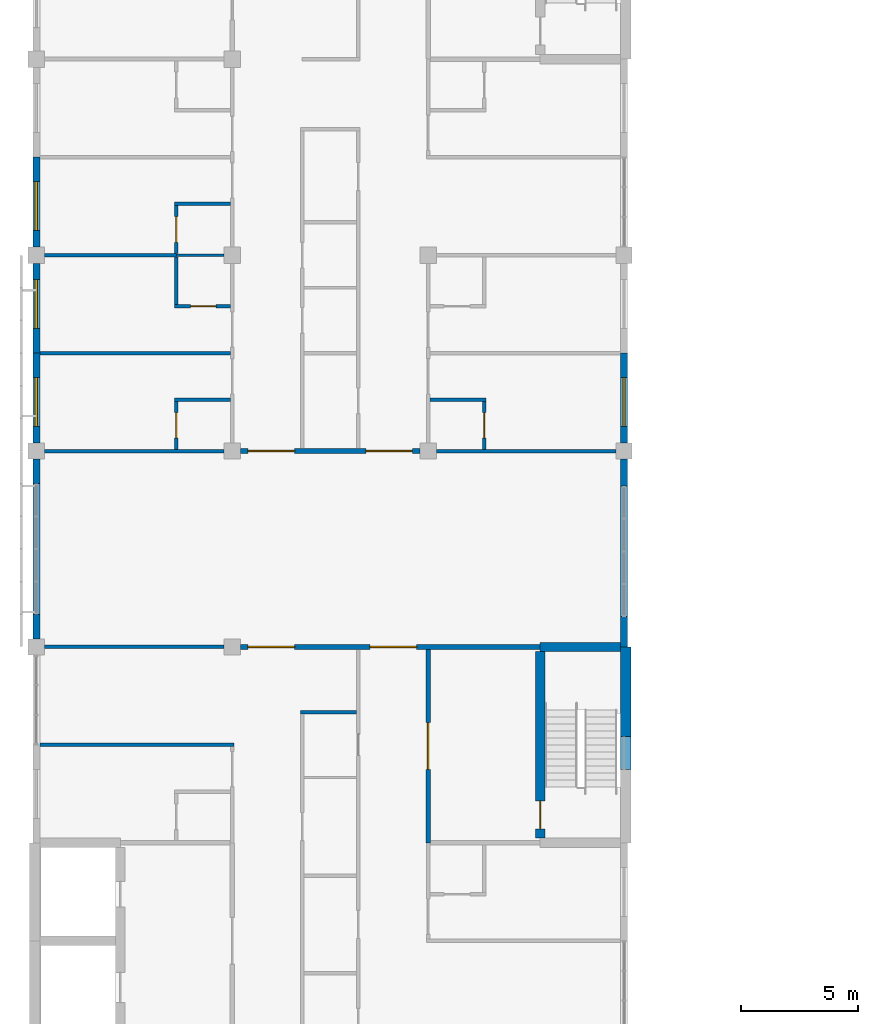
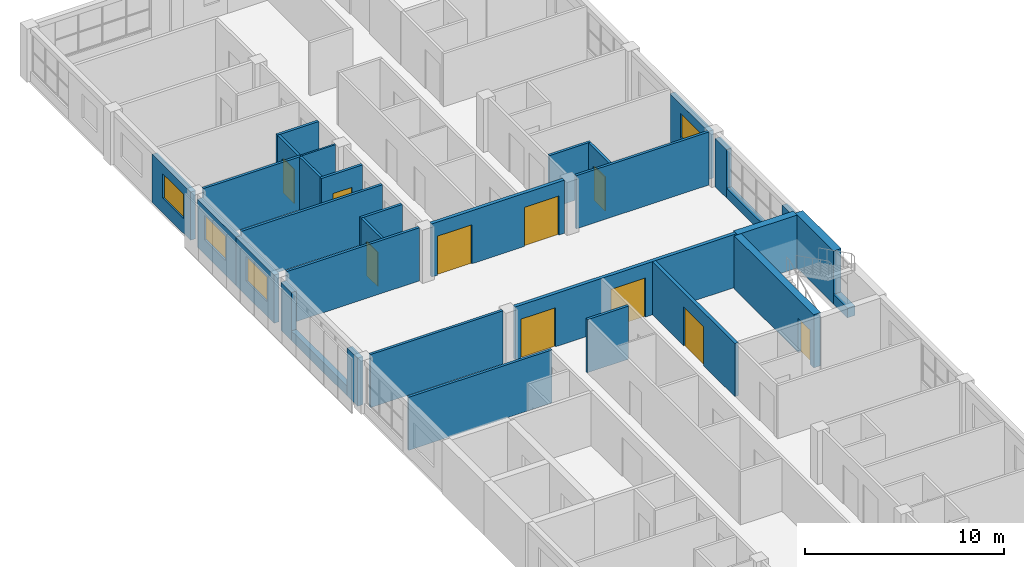
# One storey, part 41 of 61: 33 walls, 10 doors, 4 windows, 14 openings.
"""IFC4 building model written with IfcOpenShell, lengths in metres."""

import ifcopenshell
import ifcopenshell.guid

model = None  # the IFC model being written
_history = None  # IfcOwnerHistory: only IFC2X3 demands one
_inside = {}  # id of a spatial element -> (the spatial element, [elements in it])
_under = {}  # id of a project, library or spatial element -> (it, [spatial elements below it])
_declared = {}  # id of a project -> (the project, [libraries it declares])
_typed = {}  # id of a type object -> (the type object, [elements of that type])
_made_of = {}  # id of a material, layer set ... -> (it, [elements and type objects made of it])


def new_model(schema):
    """Start an empty IFC model of exactly this schema.

    Asked for "IFC4X3", IfcOpenShell would pick the latest addendum, in which some entities
    have other attributes; the version numbers below select the first issue.
    IFC2X3 requires an IfcOwnerHistory on every rooted entity: one is made here for all.
    """
    global model, _history
    if schema == "IFC4X3":
        model = ifcopenshell.file(schema_version=(4, 3, 0, 0))
    else:
        model = ifcopenshell.file(schema=schema)
    _inside.clear()
    _under.clear()
    _declared.clear()
    _typed.clear()
    _made_of.clear()
    _history = None
    if model.schema == "IFC2X3":
        org = make("IfcOrganization", Name="unknown")
        user = make(
            "IfcPersonAndOrganization",
            ThePerson=make("IfcPerson", FamilyName="unknown"),
            TheOrganization=org,
        )
        app = make(
            "IfcApplication",
            ApplicationDeveloper=org,
            Version="unknown",
            ApplicationFullName="unknown",
            ApplicationIdentifier="unknown",
        )
        _history = make(
            "IfcOwnerHistory",
            OwningUser=user,
            OwningApplication=app,
            ChangeAction="ADDED",
            CreationDate=0,
        )
    return model


def make(cls, **values):
    """One entity of the class cls with the attributes given. An attribute that is None is left unset."""
    return model.create_entity(
        cls, **{name: value for name, value in values.items() if value is not None}
    )


def rooted(cls, **values):
    """An entity with a GlobalId (a new one), such as an element, a storey or a relation."""
    return make(cls, GlobalId=ifcopenshell.guid.new(), OwnerHistory=_history, **values)


def si_unit(unit_type, name, prefix=None):
    """IfcSIUnit, for example si_unit("LENGTHUNIT", "METRE", prefix="MILLI")."""
    return make("IfcSIUnit", UnitType=unit_type, Prefix=prefix, Name=name)


def assignment(units):
    """IfcUnitAssignment: the units of a project."""
    return None if units is None else make("IfcUnitAssignment", Units=units)


def point(xyz):
    """IfcCartesianPoint."""
    return None if xyz is None else make("IfcCartesianPoint", Coordinates=xyz)


def direction(xyz):
    """IfcDirection."""
    return None if xyz is None else make("IfcDirection", DirectionRatios=xyz)


def frame(location, z_axis=None, x_axis=None):
    """IfcAxis2Placement3D, a coordinate frame: its origin and axes. An axis left out is left unset."""
    return make(
        "IfcAxis2Placement3D",
        Location=point(location),
        Axis=direction(z_axis),
        RefDirection=direction(x_axis),
    )


def frame_2d(location, x_axis=None):
    """IfcAxis2Placement2D, a coordinate frame in the plane: its origin and x axis."""
    return make(
        "IfcAxis2Placement2D", Location=point(location), RefDirection=direction(x_axis)
    )


def origin():
    """The frame at (0, 0, 0) with its axes left unset."""
    return frame((0.0, 0.0, 0.0))


def place(relative_to, where):
    """IfcLocalPlacement: puts the frame where relative to a parent placement (None: the world)."""
    return make(
        "IfcLocalPlacement", PlacementRelTo=relative_to, RelativePlacement=where
    )


def context(
    kind, dimensions, precision=None, world=None, true_north=None, identifier=None
):
    """IfcGeometricRepresentationContext, for example the 3D "Model" context."""
    return make(
        "IfcGeometricRepresentationContext",
        ContextIdentifier=identifier,
        ContextType=kind,
        CoordinateSpaceDimension=dimensions,
        Precision=precision,
        WorldCoordinateSystem=world,
        TrueNorth=true_north,
    )


def subcontext(parent, identifier, kind, view, scale=None):
    """IfcGeometricRepresentationSubContext, for example "Body" below "Model"."""
    return make(
        "IfcGeometricRepresentationSubContext",
        ContextIdentifier=identifier,
        ContextType=kind,
        ParentContext=parent,
        TargetScale=scale,
        TargetView=view,
    )


def project(units=None, contexts=None):
    """IfcProject with its units and contexts."""
    return rooted(
        "IfcProject",
        Name="project",
        RepresentationContexts=contexts,
        UnitsInContext=assignment(units),
    )


def spatial(cls, under=None, at=None, **own):
    """A site, building, storey or space (cls), placed at a placement, below another one or the project."""
    s = rooted(cls, ObjectPlacement=at, **own)
    if under is not None:
        _under.setdefault(under.id(), (under, []))[1].append(s)
    return s


def profile(cls, at=None, kind="AREA", **sizes):
    """A parametric profile (cls). Its sizes go by their IFC names, for example OverallWidth=200.0."""
    return make(cls, ProfileType=kind, Position=at, **sizes)


def rectangle(**sizes):
    """IfcRectangleProfileDef."""
    return profile("IfcRectangleProfileDef", **sizes)


def extrude(swept, where, along, depth):
    """IfcExtrudedAreaSolid: the profile swept, set in the frame where, extruded along a direction by depth."""
    return make(
        "IfcExtrudedAreaSolid",
        SweptArea=swept,
        Position=where,
        ExtrudedDirection=direction(along),
        Depth=depth,
    )


def shape(context_of_items, identifier, shape_type, items):
    """IfcShapeRepresentation: the items that make up one representation, for example the "Body"."""
    return make(
        "IfcShapeRepresentation",
        ContextOfItems=context_of_items,
        RepresentationIdentifier=identifier,
        RepresentationType=shape_type,
        Items=items,
    )


def material(Name=None, Category=None):
    """IfcMaterial."""
    return make("IfcMaterial", Name=Name, Category=Category)


def layer(
    of_material, thickness, ventilated=None, Name=None, Category=None, Priority=None
):
    """IfcMaterialLayer: one layer of a wall or slab, of a material (None: an air gap)."""
    return make(
        "IfcMaterialLayer",
        Material=of_material,
        LayerThickness=thickness,
        IsVentilated=ventilated,
        Name=Name,
        Category=Category,
        Priority=Priority,
    )


def layer_set(layers, Name=None):
    """IfcMaterialLayerSet."""
    return make("IfcMaterialLayerSet", MaterialLayers=layers, LayerSetName=Name)


def made_of(thing, what):
    """Note that an element or type object is made of a material, layer set ...; save() writes the relation."""
    if what is not None:
        _made_of.setdefault(what.id(), (what, []))[1].append(thing)
    return thing


def type_object(cls, material=None, **own):
    """A type object (cls), such as IfcWallType, which elements share."""
    return made_of(rooted(cls, **own), material)


def element(
    cls,
    number,
    at=None,
    inside=None,
    cuts=None,
    type_object=None,
    material=None,
    context=None,
    identifier="Body",
    shape_type=None,
    held_by="IfcProductDefinitionShape",
    body=None,
    shapes=None,
    **own,
):
    """One element of the class cls, such as IfcWall. Its Tag is "e" and its number.

    at: its placement. inside: the storey or other place that contains it. cuts: it is an
    opening in that element (IfcRelVoidsElement). A single representation is given by context,
    identifier, shape_type and body (its items); several are given by shapes. held_by: the class
    of the entity that holds the representations. save() writes the other relations.
    """
    e = rooted(cls, Tag="e%d" % number, ObjectPlacement=at, **own)
    if body is not None:
        shapes = [shape(context, identifier, shape_type, body)]
    if shapes is not None:
        e.Representation = make(held_by, Representations=shapes)
    if inside is not None:
        _inside.setdefault(inside.id(), (inside, []))[1].append(e)
    if cuts is not None:
        rooted(
            "IfcRelVoidsElement", RelatingBuildingElement=cuts, RelatedOpeningElement=e
        )
    if type_object is not None:
        _typed.setdefault(type_object.id(), (type_object, []))[1].append(e)
    return made_of(e, material)


def fill(opening, filler):
    """IfcRelFillsElement: the door or window that sits in an opening."""
    return rooted(
        "IfcRelFillsElement",
        RelatingOpeningElement=opening,
        RelatedBuildingElement=filler,
    )


def aggregate(whole, parts):
    """IfcRelAggregates: a whole, such as a stair, and the parts it consists of."""
    return rooted("IfcRelAggregates", RelatingObject=whole, RelatedObjects=parts)


def save(model, path):
    """Write the relations noted so far, then the file.

    IfcRelAggregates (storeys below a building ...), IfcRelContainedInSpatialStructure (elements
    in a storey), IfcRelDefinesByType, IfcRelAssociatesMaterial and IfcRelDeclares: one each for
    every whole, place, type object, material and project.
    """
    for whole, parts in _under.values():
        aggregate(whole, parts)
    for where, things in _inside.values():
        rooted(
            "IfcRelContainedInSpatialStructure",
            RelatedElements=things,
            RelatingStructure=where,
        )
    for kind, things in _typed.values():
        rooted("IfcRelDefinesByType", RelatedObjects=things, RelatingType=kind)
    for what, things in _made_of.values():
        rooted("IfcRelAssociatesMaterial", RelatedObjects=things, RelatingMaterial=what)
    for by, libraries in _declared.values():
        rooted("IfcRelDeclares", RelatingContext=by, RelatedDefinitions=libraries)
    model.write(path)


model = new_model("IFC4")

# Units and contexts
model_context = context("Model", 3, precision=1e-05, world=origin(), true_north=direction((0.0, 1.0)))
body_context = subcontext(model_context, "Body", "Model", "MODEL_VIEW")
ifc_project = project(units=[si_unit("LENGTHUNIT", "METRE"), si_unit("AREAUNIT", "SQUARE_METRE"), si_unit("VOLUMEUNIT", "CUBIC_METRE"), si_unit("PLANEANGLEUNIT", "RADIAN"), si_unit("MASSUNIT", "GRAM", prefix="KILO")], contexts=[model_context])

# Site, building, storey
site_placement = place(None, origin())
site = spatial("IfcSite", under=ifc_project, at=site_placement, CompositionType="ELEMENT")
building_placement = place(site_placement, origin())
building = spatial("IfcBuilding", under=site, at=building_placement, Name="Yavir Park General Hospital", CompositionType="ELEMENT")
storey_placement = place(building_placement, frame((0.0, 0.0, 15.300048828125)))
storey = spatial("IfcBuildingStorey", under=building, at=storey_placement, Name="L03", CompositionType="ELEMENT", Elevation=15.300048828125)

# Wall, openings, doors
ifc_material_1 = material(Name="Double gypsum board fire partition on steel studs", Category="steel")
ifc_layer_1 = layer(ifc_material_1, 0.199951171875)
ifc_layer_set_1 = layer_set([ifc_layer_1], Name="Double gypsum board fire partition on steel studs")
wall_type_1 = type_object("IfcWallType", Name="Fire-rated partition 200, EI 60", PredefinedType="PARTITIONING", material=ifc_layer_set_1)
wall_1_placement = place(storey_placement, frame((8.75, 84.0, 0.0), z_axis=(0.0, 0.0, 1.0), x_axis=(1.0, 0.0, 0.0)))
wall_1 = element("IfcWall", 1, at=wall_1_placement, inside=storey, type_object=wall_type_1, Name="FP20 L03-119", PredefinedType="PARTITIONING", context=body_context, shape_type="SweptSolid", body=[
    extrude(rectangle(XDim=12.85009765625, YDim=0.199951171875, at=frame_2d((6.425048828125, 0.0))), origin(), (0.0, 0.0, 1.0), 3.260009765625),
])
opening_1_placement = place(wall_1_placement, frame((0.324951171875, 0.0, 0.0)))
opening_1 = element("IfcOpeningElement", 2, at=opening_1_placement, cuts=wall_1, Name="Opening L03.D084", PredefinedType="OPENING", context=body_context, shape_type="SweptSolid", body=[
    extrude(rectangle(XDim=2.0, YDim=2.39990234375, at=frame_2d((1.0, 1.199951171875))), frame((0.0, 0.10986328125, 0.0), z_axis=(0.0, -1.0, 0.0), x_axis=(1.0, 0.0, 0.0)), (0.0, 0.0, 1.0), 0.219970703125),
])
opening_2_placement = place(wall_1_placement, frame((5.550048828125, 0.0, 0.0)))
opening_2 = element("IfcOpeningElement", 3, at=opening_2_placement, cuts=wall_1, Name="Opening L03.D085", PredefinedType="OPENING", context=body_context, shape_type="SweptSolid", body=[
    extrude(rectangle(XDim=2.0, YDim=2.39990234375, at=frame_2d((1.0, 1.199951171875))), frame((0.0, 0.10986328125, 0.0), z_axis=(0.0, -1.0, 0.0), x_axis=(1.0, 0.0, 0.0)), (0.0, 0.0, 1.0), 0.219970703125),
])
ifc_material_2 = material(Name="Steel frame, fire-resisting leaves with vision panels", Category="steel")
door_type_1 = type_object("IfcDoorType", Name="Double fire door with vision panels 2000 x 2400, EI 60", OperationType="DOUBLE_DOOR_SINGLE_SWING", PredefinedType="DOOR", material=ifc_material_2)
door_1_placement = place(opening_1_placement, origin())
door_1 = element("IfcDoor", 4, at=door_1_placement, inside=storey, type_object=door_type_1, Name="L03.D084", OperationType="SINGLE_SWING_RIGHT", OverallHeight=2.39990234375, OverallWidth=2.0, PredefinedType="DOOR", context=body_context, shape_type="SweptSolid", body=[
    extrude(rectangle(XDim=2.0, YDim=2.39990234375, at=frame_2d((1.0, 1.199951171875))), frame((0.0, 0.030029296875, 0.0), z_axis=(0.0, -1.0, 0.0), x_axis=(1.0, 0.0, 0.0)), (0.0, 0.0, 1.0), 0.06005859375),
])
fill(opening_1, door_1)
door_2_placement = place(opening_2_placement, origin())
door_2 = element("IfcDoor", 5, at=door_2_placement, inside=storey, type_object=door_type_1, Name="L03.D085", OperationType="SINGLE_SWING_LEFT", OverallHeight=2.39990234375, OverallWidth=2.0, PredefinedType="DOOR", context=body_context, shape_type="SweptSolid", body=[
    extrude(rectangle(XDim=2.0, YDim=2.39990234375, at=frame_2d((1.0, 1.199951171875))), frame((0.0, 0.030029296875, 0.0), z_axis=(0.0, -1.0, 0.0), x_axis=(1.0, 0.0, 0.0)), (0.0, 0.0, 1.0), 0.06005859375),
])
fill(opening_2, door_2)

wall_2_placement = place(storey_placement, frame((8.75, 92.39990234375, 0.0), z_axis=(0.0, 0.0, 1.0), x_axis=(1.0, 0.0, 0.0)))
wall_2 = element("IfcWall", 6, at=wall_2_placement, inside=storey, type_object=wall_type_1, Name="FP20 L03-122", PredefinedType="PARTITIONING", context=body_context, shape_type="SweptSolid", body=[
    extrude(rectangle(XDim=7.699951171875, YDim=0.199951171875, at=frame_2d((3.85009765625, 0.0))), origin(), (0.0, 0.0, 1.0), 3.260009765625),
])
opening_3_placement = place(wall_2_placement, frame((0.324951171875, 0.0, 0.0)))
opening_3 = element("IfcOpeningElement", 7, at=opening_3_placement, cuts=wall_2, Name="Opening L03.D086", PredefinedType="OPENING", context=body_context, shape_type="SweptSolid", body=[
    extrude(rectangle(XDim=2.0, YDim=2.39990234375, at=frame_2d((1.0, 1.199951171875))), frame((0.0, 0.10986328125, 0.0), z_axis=(0.0, -1.0, 0.0), x_axis=(1.0, 0.0, 0.0)), (0.0, 0.0, 1.0), 0.219970703125),
])
opening_4_placement = place(wall_2_placement, frame((5.375, 0.0, 0.0)))
opening_4 = element("IfcOpeningElement", 8, at=opening_4_placement, cuts=wall_2, Name="Opening L03.D087", PredefinedType="OPENING", context=body_context, shape_type="SweptSolid", body=[
    extrude(rectangle(XDim=2.0, YDim=2.39990234375, at=frame_2d((1.0, 1.199951171875))), frame((0.0, 0.10986328125, 0.0), z_axis=(0.0, -1.0, 0.0), x_axis=(1.0, 0.0, 0.0)), (0.0, 0.0, 1.0), 0.219970703125),
])
door_3_placement = place(opening_3_placement, origin())
door_3 = element("IfcDoor", 9, at=door_3_placement, inside=storey, type_object=door_type_1, Name="L03.D086", OperationType="SINGLE_SWING_LEFT", OverallHeight=2.39990234375, OverallWidth=2.0, PredefinedType="DOOR", context=body_context, shape_type="SweptSolid", body=[
    extrude(rectangle(XDim=2.0, YDim=2.39990234375, at=frame_2d((1.0, 1.199951171875))), frame((0.0, 0.030029296875, 0.0), z_axis=(0.0, -1.0, 0.0), x_axis=(1.0, 0.0, 0.0)), (0.0, 0.0, 1.0), 0.06005859375),
])
fill(opening_3, door_3)
door_4_placement = place(opening_4_placement, origin())
door_4 = element("IfcDoor", 10, at=door_4_placement, inside=storey, type_object=door_type_1, Name="L03.D087", OperationType="SINGLE_SWING_RIGHT", OverallHeight=2.39990234375, OverallWidth=2.0, PredefinedType="DOOR", context=body_context, shape_type="SweptSolid", body=[
    extrude(rectangle(XDim=2.0, YDim=2.39990234375, at=frame_2d((1.0, 1.199951171875))), frame((0.0, 0.030029296875, 0.0), z_axis=(0.0, -1.0, 0.0), x_axis=(1.0, 0.0, 0.0)), (0.0, 0.0, 1.0), 0.06005859375),
])
fill(opening_4, door_4)

# Wall, opening, door
wall_3_placement = place(storey_placement, frame((16.800048828125, 75.60009765625, 0.0), z_axis=(0.0, 0.0, 1.0), x_axis=(0.0, 1.0, 0.0)))
wall_3 = element("IfcWall", 11, at=wall_3_placement, inside=storey, type_object=wall_type_1, Name="FP20 L03-196", PredefinedType="PARTITIONING", context=body_context, shape_type="SweptSolid", body=[
    extrude(rectangle(XDim=8.2998046875, YDim=0.199951171875, at=frame_2d((4.14990234375, 0.0))), origin(), (0.0, 0.0, 1.0), 3.260009765625),
])
opening_5_placement = place(wall_3_placement, frame((3.14990234375, 0.0, 0.0)))
opening_5 = element("IfcOpeningElement", 12, at=opening_5_placement, cuts=wall_3, Name="Opening L03.D138", PredefinedType="OPENING", context=body_context, shape_type="SweptSolid", body=[
    extrude(rectangle(XDim=2.0, YDim=2.39990234375, at=frame_2d((1.0, 1.199951171875))), frame((0.0, 0.10986328125, 0.0), z_axis=(0.0, -1.0, 0.0), x_axis=(1.0, 0.0, 0.0)), (0.0, 0.0, 1.0), 0.219970703125),
])
door_5_placement = place(opening_5_placement, origin())
door_5 = element("IfcDoor", 13, at=door_5_placement, inside=storey, type_object=door_type_1, Name="L03.D138", OperationType="SINGLE_SWING_LEFT", OverallHeight=2.39990234375, OverallWidth=2.0, PredefinedType="DOOR", context=body_context, shape_type="SweptSolid", body=[
    extrude(rectangle(XDim=2.0, YDim=2.39990234375, at=frame_2d((1.0, 1.199951171875))), frame((0.0, 0.030029296875, 0.0), z_axis=(0.0, -1.0, 0.0), x_axis=(1.0, 0.0, 0.0)), (0.0, 0.0, 1.0), 0.06005859375),
])
fill(opening_5, door_5)

# Walls
ifc_material_3 = material(Name="Gypsum board partition on steel studs", Category="steel")
ifc_layer_2 = layer(ifc_material_3, 0.10009765625)
ifc_layer_set_2 = layer_set([ifc_layer_2], Name="Gypsum board partition on steel studs")
wall_type_2 = type_object("IfcWallType", Name="Gypsum board partition 100", PredefinedType="PARTITIONING", material=ifc_layer_set_2)
wall_4_placement = place(storey_placement, frame((6.0, 100.800048828125, 0.0), z_axis=(0.0, 0.0, 1.0), x_axis=(1.0, 0.0, 0.0)))
element("IfcWall", 14, at=wall_4_placement, inside=storey, type_object=wall_type_2, Name="P10 L03-133", PredefinedType="PARTITIONING", context=body_context, shape_type="SweptSolid", body=[
    extrude(rectangle(XDim=2.050048828125, YDim=0.10009765625, at=frame_2d((1.02490234375, 0.0))), origin(), (0.0, 0.0, 1.0), 3.260009765625),
])
ifc_material_4 = material(Name="Gypsum board partition on steel studs", Category="steel")
ifc_layer_3 = layer(ifc_material_4, 0.14990234375)
ifc_layer_set_3 = layer_set([ifc_layer_3], Name="Gypsum board partition on steel studs")
wall_type_3 = type_object("IfcWallType", Name="Gypsum board partition 150", PredefinedType="PARTITIONING", material=ifc_layer_set_3)
wall_5_placement = place(storey_placement, frame((0.14990234375, 79.800048828125, 0.0), z_axis=(0.0, 0.0, 1.0), x_axis=(1.0, 0.0, 0.0)))
element("IfcWall", 15, at=wall_5_placement, inside=storey, type_object=wall_type_3, Name="P15 L03-116", PredefinedType="PARTITIONING", context=body_context, shape_type="SweptSolid", body=[
    extrude(rectangle(XDim=8.3251953125, YDim=0.14990234375, at=frame_2d((4.16259765625, 0.0))), origin(), (0.0, 0.0, 1.0), 3.260009765625),
])
wall_6_placement = place(storey_placement, frame((11.324951171875, 81.199951171875, 0.0), z_axis=(0.0, 0.0, 1.0), x_axis=(1.0, 0.0, 0.0)))
element("IfcWall", 16, at=wall_6_placement, inside=storey, type_object=wall_type_3, Name="P15 L03-117", PredefinedType="PARTITIONING", context=body_context, shape_type="SweptSolid", body=[
    extrude(rectangle(XDim=2.400146484375, YDim=0.14990234375, at=frame_2d((1.2001953125, 0.0))), origin(), (0.0, 0.0, 1.0), 3.260009765625),
])
for number, where, z_axis, x_axis, name in (
    (17, (0.35009765625, 84.0, 0.0), (0.0, 0.0, 1.0), (1.0, 0.0, 0.0), "P15 L03-118"),
    (18, (0.35009765625, 92.39990234375, 0.0), (0.0, 0.0, 1.0), (1.0, 0.0, 0.0), "P15 L03-121"),
):
    element("IfcWall", number, at=place(storey_placement, frame(where, z_axis=z_axis, x_axis=x_axis)), inside=storey, type_object=wall_type_3, Name=name, PredefinedType="PARTITIONING", context=body_context, shape_type="SweptSolid", body=[
        extrude(rectangle(XDim=7.699951171875, YDim=0.14990234375, at=frame_2d((3.85009765625, 0.0))), origin(), (0.0, 0.0, 1.0), 3.260009765625),
    ])
wall_7_placement = place(storey_placement, frame((17.14990234375, 92.39990234375, 0.0), z_axis=(0.0, 0.0, 1.0), x_axis=(1.0, 0.0, 0.0)))
element("IfcWall", 19, at=wall_7_placement, inside=storey, type_object=wall_type_3, Name="P15 L03-123", PredefinedType="PARTITIONING", context=body_context, shape_type="SweptSolid", body=[
    extrude(rectangle(XDim=7.7001953125, YDim=0.14990234375, at=frame_2d((3.85009765625, 0.0))), origin(), (0.0, 0.0, 1.0), 3.260009765625),
])
for number, where, z_axis, x_axis, name in (
    (20, (5.925048828125, 94.60009765625, 0.0), (0.0, 0.0, 1.0), (1.0, 0.0, 0.0), "P15 L03-124"),
    (21, (16.875, 94.60009765625, 0.0), (0.0, 0.0, 1.0), (1.0, 0.0, 0.0), "P15 L03-125"),
):
    element("IfcWall", number, at=place(storey_placement, frame(where, z_axis=z_axis, x_axis=x_axis)), inside=storey, type_object=wall_type_3, Name=name, PredefinedType="PARTITIONING", context=body_context, shape_type="SweptSolid", body=[
        extrude(rectangle(XDim=2.39990234375, YDim=0.14990234375, at=frame_2d((1.199951171875, 0.0))), origin(), (0.0, 0.0, 1.0), 3.260009765625),
    ])
wall_8_placement = place(storey_placement, frame((0.14990234375, 96.60009765625, 0.0), z_axis=(0.0, 0.0, 1.0), x_axis=(1.0, 0.0, 0.0)))
element("IfcWall", 22, at=wall_8_placement, inside=storey, type_object=wall_type_3, Name="P15 L03-126", PredefinedType="PARTITIONING", context=body_context, shape_type="SweptSolid", body=[
    extrude(rectangle(XDim=8.175048828125, YDim=0.14990234375, at=frame_2d((4.08740234375, 0.0))), origin(), (0.0, 0.0, 1.0), 3.260009765625),
])

# Wall, opening, door
wall_9_placement = place(storey_placement, frame((5.925048828125, 98.60009765625, 0.0), z_axis=(0.0, 0.0, 1.0), x_axis=(1.0, 0.0, 0.0)))
wall_9 = element("IfcWall", 23, at=wall_9_placement, inside=storey, type_object=wall_type_3, Name="P15 L03-129", PredefinedType="PARTITIONING", context=body_context, shape_type="SweptSolid", body=[
    extrude(rectangle(XDim=2.39990234375, YDim=0.14990234375, at=frame_2d((1.199951171875, 0.0))), origin(), (0.0, 0.0, 1.0), 3.260009765625),
])
opening_6_placement = place(wall_9_placement, frame((0.6875, 0.0, 0.0)))
opening_6 = element("IfcOpeningElement", 24, at=opening_6_placement, cuts=wall_9, Name="Opening L03.D088", PredefinedType="OPENING", context=body_context, shape_type="SweptSolid", body=[
    extrude(rectangle(XDim=1.10009765625, YDim=2.10009765625, at=frame_2d((0.550048828125, 1.050048828125))), frame((0.0, 0.0849609375, 0.0), z_axis=(0.0, -1.0, 0.0), x_axis=(1.0, 0.0, 0.0)), (0.0, 0.0, 1.0), 0.169921875),
])
ifc_material_5 = material(Name="Hollow metal frame, solid-core timber leaf", Category="wood")
door_type_2 = type_object("IfcDoorType", Name="Single swing door 1100 x 2100", OperationType="SINGLE_SWING_LEFT", PredefinedType="DOOR", material=ifc_material_5)
door_6_placement = place(opening_6_placement, origin())
door_6 = element("IfcDoor", 25, at=door_6_placement, inside=storey, type_object=door_type_2, Name="L03.D088", OperationType="SINGLE_SWING_RIGHT", OverallHeight=2.10009765625, OverallWidth=1.10009765625, PredefinedType="DOOR", context=body_context, shape_type="SweptSolid", body=[
    extrude(rectangle(XDim=1.10009765625, YDim=2.10009765625, at=frame_2d((0.550048828125, 1.050048828125))), frame((0.0, 0.02490234375, 0.0), z_axis=(0.0, -1.0, 0.0), x_axis=(1.0, 0.0, 0.0)), (0.0, 0.0, 1.0), 0.050048828125),
])
fill(opening_6, door_6)

# Walls
wall_10_placement = place(storey_placement, frame((0.35009765625, 100.800048828125, 0.0), z_axis=(0.0, 0.0, 1.0), x_axis=(1.0, 0.0, 0.0)))
element("IfcWall", 26, at=wall_10_placement, inside=storey, type_object=wall_type_3, Name="P15 L03-132", PredefinedType="PARTITIONING", context=body_context, shape_type="SweptSolid", body=[
    extrude(rectangle(XDim=5.64990234375, YDim=0.14990234375, at=frame_2d((2.824951171875, 0.0))), origin(), (0.0, 0.0, 1.0), 3.260009765625),
])
wall_11_placement = place(storey_placement, frame((5.925048828125, 103.0, 0.0), z_axis=(0.0, 0.0, 1.0), x_axis=(1.0, 0.0, 0.0)))
element("IfcWall", 27, at=wall_11_placement, inside=storey, type_object=wall_type_3, Name="P15 L03-136", PredefinedType="PARTITIONING", context=body_context, shape_type="SweptSolid", body=[
    extrude(rectangle(XDim=2.39990234375, YDim=0.14990234375, at=frame_2d((1.199951171875, 0.0))), origin(), (0.0, 0.0, 1.0), 3.260009765625),
])

# Wall, opening, door
wall_12_placement = place(storey_placement, frame((6.0, 92.47509765625, 0.0), z_axis=(0.0, 0.0, 1.0), x_axis=(0.0, 1.0, 0.0)))
wall_12 = element("IfcWall", 28, at=wall_12_placement, inside=storey, type_object=wall_type_3, Name="P15 L03-159", PredefinedType="PARTITIONING", context=body_context, shape_type="SweptSolid", body=[
    extrude(rectangle(XDim=2.0498046875, YDim=0.14990234375, at=frame_2d((1.02490234375, 0.0))), origin(), (0.0, 0.0, 1.0), 3.260009765625),
])
opening_7_placement = place(wall_12_placement, frame((0.47509765625, 0.0, 0.0)))
opening_7 = element("IfcOpeningElement", 29, at=opening_7_placement, cuts=wall_12, Name="Opening L03.D101", PredefinedType="OPENING", context=body_context, shape_type="SweptSolid", body=[
    extrude(rectangle(XDim=1.10009765625, YDim=2.10009765625, at=frame_2d((0.550048828125, 1.050048828125))), frame((0.0, 0.0849609375, 0.0), z_axis=(0.0, -1.0, 0.0), x_axis=(1.0, 0.0, 0.0)), (0.0, 0.0, 1.0), 0.169921875),
])
door_7_placement = place(opening_7_placement, origin())
door_7 = element("IfcDoor", 30, at=door_7_placement, inside=storey, type_object=door_type_2, Name="L03.D101", OperationType="SINGLE_SWING_RIGHT", OverallHeight=2.10009765625, OverallWidth=1.10009765625, PredefinedType="DOOR", context=body_context, shape_type="SweptSolid", body=[
    extrude(rectangle(XDim=1.10009765625, YDim=2.10009765625, at=frame_2d((0.550048828125, 1.050048828125))), frame((0.0, 0.02490234375, 0.0), z_axis=(0.0, -1.0, 0.0), x_axis=(1.0, 0.0, 0.0)), (0.0, 0.0, 1.0), 0.050048828125),
])
fill(opening_7, door_7)

# Wall
wall_13_placement = place(storey_placement, frame((6.0, 98.675048828125, 0.0), z_axis=(0.0, 0.0, 1.0), x_axis=(0.0, 1.0, 0.0)))
element("IfcWall", 31, at=wall_13_placement, inside=storey, type_object=wall_type_3, Name="P15 L03-160", PredefinedType="PARTITIONING", context=body_context, shape_type="SweptSolid", body=[
    extrude(rectangle(XDim=2.050048828125, YDim=0.14990234375, at=frame_2d((1.02490234375, 0.0))), origin(), (0.0, 0.0, 1.0), 3.260009765625),
])

# Wall, opening, door
wall_14_placement = place(storey_placement, frame((6.0, 100.875, 0.0), z_axis=(0.0, 0.0, 1.0), x_axis=(0.0, 1.0, 0.0)))
wall_14 = element("IfcWall", 32, at=wall_14_placement, inside=storey, type_object=wall_type_3, Name="P15 L03-161", PredefinedType="PARTITIONING", context=body_context, shape_type="SweptSolid", body=[
    extrude(rectangle(XDim=2.050048828125, YDim=0.14990234375, at=frame_2d((1.02490234375, 0.0))), origin(), (0.0, 0.0, 1.0), 3.260009765625),
])
opening_8_placement = place(wall_14_placement, frame((0.47509765625, 0.0, 0.0)))
opening_8 = element("IfcOpeningElement", 33, at=opening_8_placement, cuts=wall_14, Name="Opening L03.D102", PredefinedType="OPENING", context=body_context, shape_type="SweptSolid", body=[
    extrude(rectangle(XDim=1.10009765625, YDim=2.10009765625, at=frame_2d((0.550048828125, 1.050048828125))), frame((0.0, 0.0849609375, 0.0), z_axis=(0.0, -1.0, 0.0), x_axis=(1.0, 0.0, 0.0)), (0.0, 0.0, 1.0), 0.169921875),
])
door_8_placement = place(opening_8_placement, origin())
door_8 = element("IfcDoor", 34, at=door_8_placement, inside=storey, type_object=door_type_2, Name="L03.D102", OperationType="SINGLE_SWING_RIGHT", OverallHeight=2.10009765625, OverallWidth=1.10009765625, PredefinedType="DOOR", context=body_context, shape_type="SweptSolid", body=[
    extrude(rectangle(XDim=1.10009765625, YDim=2.10009765625, at=frame_2d((0.550048828125, 1.050048828125))), frame((0.0, 0.02490234375, 0.0), z_axis=(0.0, -1.0, 0.0), x_axis=(1.0, 0.0, 0.0)), (0.0, 0.0, 1.0), 0.050048828125),
])
fill(opening_8, door_8)

wall_15_placement = place(storey_placement, frame((19.199951171875, 92.47509765625, 0.0), z_axis=(0.0, 0.0, 1.0), x_axis=(0.0, 1.0, 0.0)))
wall_15 = element("IfcWall", 35, at=wall_15_placement, inside=storey, type_object=wall_type_3, Name="P15 L03-206", PredefinedType="PARTITIONING", context=body_context, shape_type="SweptSolid", body=[
    extrude(rectangle(XDim=2.0498046875, YDim=0.14990234375, at=frame_2d((1.02490234375, 0.0))), origin(), (0.0, 0.0, 1.0), 3.260009765625),
])
opening_9_placement = place(wall_15_placement, frame((0.47509765625, 0.0, 0.0)))
opening_9 = element("IfcOpeningElement", 36, at=opening_9_placement, cuts=wall_15, Name="Opening L03.D148", PredefinedType="OPENING", context=body_context, shape_type="SweptSolid", body=[
    extrude(rectangle(XDim=1.10009765625, YDim=2.10009765625, at=frame_2d((0.550048828125, 1.050048828125))), frame((0.0, 0.0849609375, 0.0), z_axis=(0.0, -1.0, 0.0), x_axis=(1.0, 0.0, 0.0)), (0.0, 0.0, 1.0), 0.169921875),
])
door_9_placement = place(opening_9_placement, origin())
door_9 = element("IfcDoor", 37, at=door_9_placement, inside=storey, type_object=door_type_2, Name="L03.D148", OperationType="SINGLE_SWING_LEFT", OverallHeight=2.10009765625, OverallWidth=1.10009765625, PredefinedType="DOOR", context=body_context, shape_type="SweptSolid", body=[
    extrude(rectangle(XDim=1.10009765625, YDim=2.10009765625, at=frame_2d((0.550048828125, 1.050048828125))), frame((0.0, 0.02490234375, 0.0), z_axis=(0.0, -1.0, 0.0), x_axis=(1.0, 0.0, 0.0)), (0.0, 0.0, 1.0), 0.050048828125),
])
fill(opening_9, door_9)

# Walls
ifc_material_6 = material(Name="Autoclaved aerated block, mineral wool and ochre mineral render")
ifc_layer_4 = layer(ifc_material_6, 0.300048828125)
ifc_layer_set_4 = layer_set([ifc_layer_4], Name="Autoclaved aerated block, mineral wool and ochre mineral render")
wall_type_4 = type_object("IfcWallType", Name="Ochre render ward wall 300, E 30", PredefinedType="SOLIDWALL", material=ifc_layer_set_4)
wall_16_placement = place(storey_placement, frame((0.0, 84.35009765625, 0.0), z_axis=(0.0, 0.0, 1.0), x_axis=(0.0, 1.0, 0.0)))
element("IfcWall", 38, at=wall_16_placement, inside=storey, type_object=wall_type_4, Name="XW7 L03-115", PredefinedType="SOLIDWALL", context=body_context, shape_type="SweptSolid", body=[
    extrude(rectangle(XDim=1.0498046875, YDim=0.300048828125, at=frame_2d((0.52490234375, 0.0))), origin(), (0.0, 0.0, 1.0), 2.9599609375),
])
wall_17_placement = place(storey_placement, frame((0.0, 91.0, 0.0), z_axis=(0.0, 0.0, 1.0), x_axis=(0.0, 1.0, 0.0)))
element("IfcWall", 39, at=wall_17_placement, inside=storey, type_object=wall_type_4, Name="XW7 L03-116", PredefinedType="SOLIDWALL", context=body_context, shape_type="SweptSolid", body=[
    extrude(rectangle(XDim=1.050048828125, YDim=0.300048828125, at=frame_2d((0.52490234375, 0.0))), origin(), (0.0, 0.0, 1.0), 2.9599609375),
])
wall_18_placement = place(storey_placement, frame((0.0, 85.39990234375, 0.0), z_axis=(0.0, 0.0, 1.0), x_axis=(0.0, 1.0, 0.0)))
element("IfcWall", 40, at=wall_18_placement, inside=storey, type_object=wall_type_4, Name="XW7 L03-117", PredefinedType="SOLIDWALL", context=body_context, shape_type="SweptSolid", body=[
    extrude(rectangle(XDim=5.60009765625, YDim=0.300048828125, at=frame_2d((2.800048828125, 0.0))), origin(), (0.0, 0.0, 1.0), 0.599853515625),
])

# Wall, opening, window
wall_19_placement = place(storey_placement, frame((0.0, 92.75, 0.0), z_axis=(0.0, 0.0, 1.0), x_axis=(0.0, 1.0, 0.0)))
wall_19 = element("IfcWall", 41, at=wall_19_placement, inside=storey, type_object=wall_type_4, Name="XW7 L03-118", PredefinedType="SOLIDWALL", context=body_context, shape_type="SweptSolid", body=[
    extrude(rectangle(XDim=3.85009765625, YDim=0.300048828125, at=frame_2d((1.925048828125, 0.0))), origin(), (0.0, 0.0, 1.0), 2.9599609375),
])
opening_10_placement = place(wall_19_placement, frame((0.699951171875, 0.0, 0.89990234375)))
opening_10 = element("IfcOpeningElement", 42, at=opening_10_placement, cuts=wall_19, Name="Opening WAR", PredefinedType="OPENING", context=body_context, shape_type="SweptSolid", body=[
    extrude(rectangle(XDim=2.10009765625, YDim=1.5, at=frame_2d((1.050048828125, 0.75))), frame((0.0, 0.159912109375, 0.0), z_axis=(0.0, -1.0, 0.0), x_axis=(1.0, 0.0, 0.0)), (0.0, 0.0, 1.0), 0.320068359375),
])
ifc_material_7 = material(Name="Aluminium frame, tilt-and-turn sash with opening restrictor, double glazed unit", Category="aluminium")
window_type = type_object("IfcWindowType", Name="Ward window, restricted opening 2100 x 1500", PartitioningType="DOUBLE_PANEL_VERTICAL", PredefinedType="WINDOW", material=ifc_material_7)
window_1_placement = place(opening_10_placement, origin())
window_1 = element("IfcWindow", 43, at=window_1_placement, inside=storey, type_object=window_type, Name="WAR L03-056", OverallHeight=1.5, OverallWidth=2.10009765625, PartitioningType="DOUBLE_PANEL_VERTICAL", PredefinedType="WINDOW", context=body_context, shape_type="SweptSolid", body=[
    extrude(rectangle(XDim=2.10009765625, YDim=1.5, at=frame_2d((1.050048828125, 0.75))), frame((0.0, 0.050048828125, 0.0), z_axis=(0.0, -1.0, 0.0), x_axis=(1.0, 0.0, 0.0)), (0.0, 0.0, 1.0), 0.10009765625),
])
fill(opening_10, window_1)

wall_20_placement = place(storey_placement, frame((0.0, 96.60009765625, 0.0), z_axis=(0.0, 0.0, 1.0), x_axis=(0.0, 1.0, 0.0)))
wall_20 = element("IfcWall", 44, at=wall_20_placement, inside=storey, type_object=wall_type_4, Name="XW7 L03-119", PredefinedType="SOLIDWALL", context=body_context, shape_type="SweptSolid", body=[
    extrude(rectangle(XDim=3.849853515625, YDim=0.300048828125, at=frame_2d((1.9248046875, 0.0))), origin(), (0.0, 0.0, 1.0), 2.9599609375),
])
opening_11_placement = place(wall_20_placement, frame((1.050048828125, 0.0, 0.89990234375)))
opening_11 = element("IfcOpeningElement", 45, at=opening_11_placement, cuts=wall_20, Name="Opening WAR", PredefinedType="OPENING", context=body_context, shape_type="SweptSolid", body=[
    extrude(rectangle(XDim=2.10009765625, YDim=1.5, at=frame_2d((1.050048828125, 0.75))), frame((0.0, 0.159912109375, 0.0), z_axis=(0.0, -1.0, 0.0), x_axis=(1.0, 0.0, 0.0)), (0.0, 0.0, 1.0), 0.320068359375),
])
window_2_placement = place(opening_11_placement, origin())
window_2 = element("IfcWindow", 46, at=window_2_placement, inside=storey, type_object=window_type, Name="WAR L03-057", OverallHeight=1.5, OverallWidth=2.10009765625, PartitioningType="DOUBLE_PANEL_VERTICAL", PredefinedType="WINDOW", context=body_context, shape_type="SweptSolid", body=[
    extrude(rectangle(XDim=2.10009765625, YDim=1.5, at=frame_2d((1.050048828125, 0.75))), frame((0.0, 0.050048828125, 0.0), z_axis=(0.0, -1.0, 0.0), x_axis=(1.0, 0.0, 0.0)), (0.0, 0.0, 1.0), 0.10009765625),
])
fill(opening_11, window_2)

wall_21_placement = place(storey_placement, frame((0.0, 101.14990234375, 0.0), z_axis=(0.0, 0.0, 1.0), x_axis=(0.0, 1.0, 0.0)))
wall_21 = element("IfcWall", 47, at=wall_21_placement, inside=storey, type_object=wall_type_4, Name="XW7 L03-120", PredefinedType="SOLIDWALL", context=body_context, shape_type="SweptSolid", body=[
    extrude(rectangle(XDim=3.85009765625, YDim=0.300048828125, at=frame_2d((1.925048828125, 0.0))), origin(), (0.0, 0.0, 1.0), 2.9599609375),
])
opening_12_placement = place(wall_21_placement, frame((0.699951171875, 0.0, 0.89990234375)))
opening_12 = element("IfcOpeningElement", 48, at=opening_12_placement, cuts=wall_21, Name="Opening WAR", PredefinedType="OPENING", context=body_context, shape_type="SweptSolid", body=[
    extrude(rectangle(XDim=2.10009765625, YDim=1.5, at=frame_2d((1.050048828125, 0.75))), frame((0.0, 0.159912109375, 0.0), z_axis=(0.0, -1.0, 0.0), x_axis=(1.0, 0.0, 0.0)), (0.0, 0.0, 1.0), 0.320068359375),
])
window_3_placement = place(opening_12_placement, origin())
window_3 = element("IfcWindow", 49, at=window_3_placement, inside=storey, type_object=window_type, Name="WAR L03-058", OverallHeight=1.5, OverallWidth=2.10009765625, PartitioningType="DOUBLE_PANEL_VERTICAL", PredefinedType="WINDOW", context=body_context, shape_type="SweptSolid", body=[
    extrude(rectangle(XDim=2.10009765625, YDim=1.5, at=frame_2d((1.050048828125, 0.75))), frame((0.0, 0.050048828125, 0.0), z_axis=(0.0, -1.0, 0.0), x_axis=(1.0, 0.0, 0.0)), (0.0, 0.0, 1.0), 0.10009765625),
])
fill(opening_12, window_3)

# Walls
wall_22_placement = place(storey_placement, frame((25.199951171875, 84.0, 0.0), z_axis=(0.0, 0.0, 1.0), x_axis=(0.0, 1.0, 0.0)))
element("IfcWall", 50, at=wall_22_placement, inside=storey, type_object=wall_type_4, Name="XW7 L03-139", PredefinedType="SOLIDWALL", context=body_context, shape_type="SweptSolid", body=[
    extrude(rectangle(XDim=1.300048828125, YDim=0.300048828125, at=frame_2d((0.64990234375, 0.0))), origin(), (0.0, 0.0, 1.0), 2.9599609375),
])
wall_23_placement = place(storey_placement, frame((25.199951171875, 90.89990234375, 0.0), z_axis=(0.0, 0.0, 1.0), x_axis=(0.0, 1.0, 0.0)))
element("IfcWall", 51, at=wall_23_placement, inside=storey, type_object=wall_type_4, Name="XW7 L03-140", PredefinedType="SOLIDWALL", context=body_context, shape_type="SweptSolid", body=[
    extrude(rectangle(XDim=1.150146484375, YDim=0.300048828125, at=frame_2d((0.5751953125, 0.0))), origin(), (0.0, 0.0, 1.0), 2.9599609375),
])
wall_24_placement = place(storey_placement, frame((25.199951171875, 85.300048828125, 0.0), z_axis=(0.0, 0.0, 1.0), x_axis=(0.0, 1.0, 0.0)))
element("IfcWall", 52, at=wall_24_placement, inside=storey, type_object=wall_type_4, Name="XW7 L03-141", PredefinedType="SOLIDWALL", context=body_context, shape_type="SweptSolid", body=[
    extrude(rectangle(XDim=5.599853515625, YDim=0.300048828125, at=frame_2d((2.7998046875, 0.0))), origin(), (0.0, 0.0, 1.0), 0.599853515625),
])

# Wall, opening, window
wall_25_placement = place(storey_placement, frame((25.199951171875, 92.75, 0.0), z_axis=(0.0, 0.0, 1.0), x_axis=(0.0, 1.0, 0.0)))
wall_25 = element("IfcWall", 53, at=wall_25_placement, inside=storey, type_object=wall_type_4, Name="XW7 L03-142", PredefinedType="SOLIDWALL", context=body_context, shape_type="SweptSolid", body=[
    extrude(rectangle(XDim=3.85009765625, YDim=0.300048828125, at=frame_2d((1.925048828125, 0.0))), origin(), (0.0, 0.0, 1.0), 2.9599609375),
])
opening_13_placement = place(wall_25_placement, frame((0.699951171875, 0.0, 0.89990234375)))
opening_13 = element("IfcOpeningElement", 54, at=opening_13_placement, cuts=wall_25, Name="Opening WAR", PredefinedType="OPENING", context=body_context, shape_type="SweptSolid", body=[
    extrude(rectangle(XDim=2.10009765625, YDim=1.5, at=frame_2d((1.050048828125, 0.75))), frame((0.0, 0.159912109375, 0.0), z_axis=(0.0, -1.0, 0.0), x_axis=(1.0, 0.0, 0.0)), (0.0, 0.0, 1.0), 0.320068359375),
])
window_4_placement = place(opening_13_placement, origin())
window_4 = element("IfcWindow", 55, at=window_4_placement, inside=storey, type_object=window_type, Name="WAR L03-068", OverallHeight=1.5, OverallWidth=2.10009765625, PartitioningType="DOUBLE_PANEL_VERTICAL", PredefinedType="WINDOW", context=body_context, shape_type="SweptSolid", body=[
    extrude(rectangle(XDim=2.10009765625, YDim=1.5, at=frame_2d((1.050048828125, 0.75))), frame((0.0, 0.050048828125, 0.0), z_axis=(0.0, -1.0, 0.0), x_axis=(1.0, 0.0, 0.0)), (0.0, 0.0, 1.0), 0.10009765625),
])
fill(opening_13, window_4)

# Wall
ifc_material_8 = material(Name="Concrete C35/45", Category="concrete")
ifc_layer_5 = layer(ifc_material_8, 0.39990234375)
ifc_layer_set_5 = layer_set([ifc_layer_5], Name="Concrete C35/45")
wall_type_5 = type_object("IfcWallType", Name="Reinforced concrete core wall 400, REI 150", PredefinedType="SHEAR", material=ifc_layer_set_5)
wall_26_placement = place(storey_placement, frame((21.60009765625, 84.0, 0.0), z_axis=(0.0, 0.0, 1.0), x_axis=(1.0, 0.0, 0.0)))
element("IfcWall", 56, at=wall_26_placement, inside=storey, type_object=wall_type_5, Name="CW40 L03-120", PredefinedType="SHEAR", context=body_context, shape_type="SweptSolid", body=[
    extrude(rectangle(XDim=3.449951171875, YDim=0.39990234375, at=frame_2d((1.72509765625, 0.0))), origin(), (0.0, 0.0, 1.0), 3.260009765625),
])

# Wall, opening, door
wall_27_placement = place(storey_placement, frame((21.60009765625, 75.800048828125, 0.0), z_axis=(0.0, 0.0, 1.0), x_axis=(0.0, 1.0, 0.0)))
wall_27 = element("IfcWall", 57, at=wall_27_placement, inside=storey, type_object=wall_type_5, Name="CW40 L03-213", PredefinedType="SHEAR", context=body_context, shape_type="SweptSolid", body=[
    extrude(rectangle(XDim=8.0, YDim=0.39990234375, at=frame_2d((4.0, 0.0))), origin(), (0.0, 0.0, 1.0), 3.260009765625),
])
opening_14_placement = place(wall_27_placement, frame((0.39990234375, 0.0, 0.0)))
opening_14 = element("IfcOpeningElement", 58, at=opening_14_placement, cuts=wall_27, Name="Opening L03.D151", PredefinedType="OPENING", context=body_context, shape_type="SweptSolid", body=[
    extrude(rectangle(XDim=1.199951171875, YDim=2.10009765625, at=frame_2d((0.60009765625, 1.050048828125))), frame((0.0, 0.2099609375, 0.0), z_axis=(0.0, -1.0, 0.0), x_axis=(1.0, 0.0, 0.0)), (0.0, 0.0, 1.0), 0.419921875),
])
ifc_material_9 = material(Name="Steel frame, fire-resisting timber leaf", Category="steel")
door_type_3 = type_object("IfcDoorType", Name="Fire door 1200 x 2100, EI 60", OperationType="SINGLE_SWING_LEFT", PredefinedType="DOOR", material=ifc_material_9)
door_10_placement = place(opening_14_placement, origin())
door_10 = element("IfcDoor", 59, at=door_10_placement, inside=storey, type_object=door_type_3, Name="L03.D151", OperationType="SINGLE_SWING_LEFT", OverallHeight=2.10009765625, OverallWidth=1.199951171875, PredefinedType="DOOR", context=body_context, shape_type="SweptSolid", body=[
    extrude(rectangle(XDim=1.199951171875, YDim=2.10009765625, at=frame_2d((0.60009765625, 1.050048828125))), frame((0.0, 0.02490234375, 0.0), z_axis=(0.0, -1.0, 0.0), x_axis=(1.0, 0.0, 0.0)), (0.0, 0.0, 1.0), 0.050048828125),
])
fill(opening_14, door_10)

# Walls
ifc_material_10 = material(Name="Concrete C30/37 precast panel with 150 mm mineral wool insulation", Category="concrete")
ifc_layer_6 = layer(ifc_material_10, 0.449951171875)
ifc_layer_set_6 = layer_set([ifc_layer_6], Name="Concrete C30/37 precast panel with 150 mm mineral wool insulation")
wall_type_6 = type_object("IfcWallType", Name="Stair enclosure wall 450, REI 150", PredefinedType="SOLIDWALL", material=ifc_layer_set_6)
wall_28_placement = place(storey_placement, frame((25.27490234375, 80.14990234375, 0.0), z_axis=(0.0, 0.0, 1.0), x_axis=(0.0, 1.0, 0.0)))
element("IfcWall", 60, at=wall_28_placement, inside=storey, type_object=wall_type_6, Name="XW6 L03-137", PredefinedType="SOLIDWALL", context=body_context, shape_type="SweptSolid", body=[
    extrude(rectangle(XDim=3.85009765625, YDim=0.449951171875, at=frame_2d((1.925048828125, 0.0))), origin(), (0.0, 0.0, 1.0), 3.260009765625),
])
wall_29_placement = place(storey_placement, frame((25.27490234375, 78.75, 0.0), z_axis=(0.0, 0.0, 1.0), x_axis=(0.0, 1.0, 0.0)))
element("IfcWall", 61, at=wall_29_placement, inside=storey, type_object=wall_type_6, Name="XW6 L03-138", PredefinedType="SOLIDWALL", context=body_context, shape_type="SweptSolid", body=[
    extrude(rectangle(XDim=1.39990234375, YDim=0.449951171875, at=frame_2d((0.699951171875, 0.0))), origin(), (0.0, 0.0, 1.0), 0.599853515625),
])

save(model, "model.ifc")
